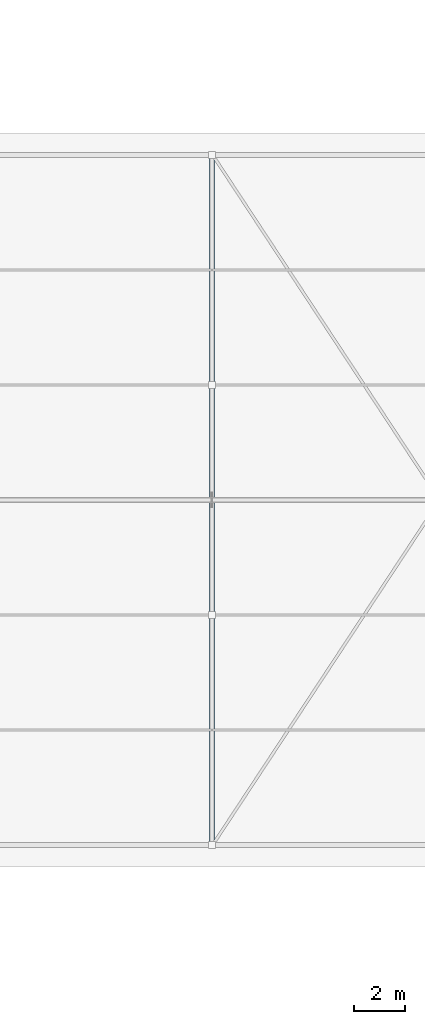
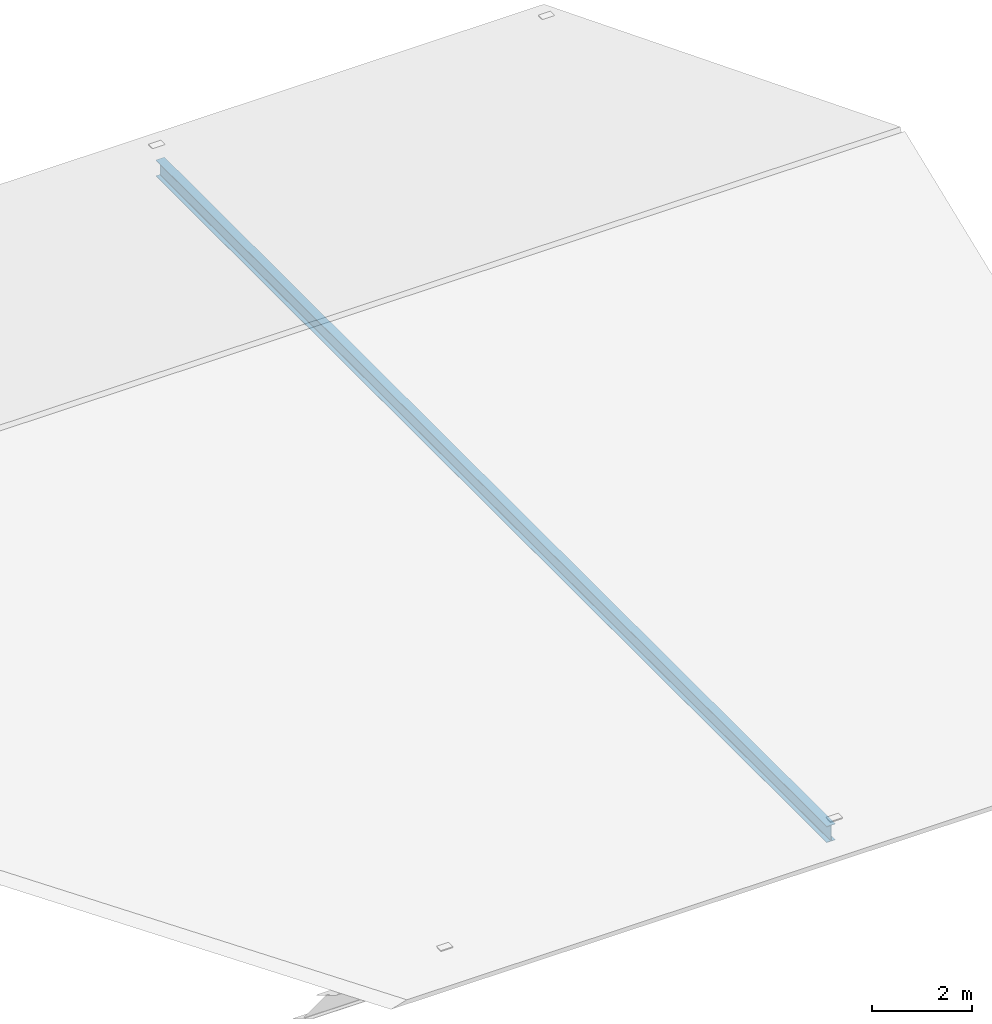
# One storey, part 75 of 132: 1 beam.
"""IFC4 building model written with IfcOpenShell, lengths in metres."""

from ifc_helpers import new_model, si_unit, direction, frame, origin, origin_2d, place, context, subcontext, project, spatial, i_section, extrude, material, material_profile, profile_set, type_object, element, save


model = new_model("IFC4")

# Units and contexts
model_context = context("Model", 3, precision=1e-05, world=origin(), true_north=direction((0.0, 1.0)))
body_context = subcontext(model_context, "Body", "Model", "MODEL_VIEW")
ifc_project = project(units=[si_unit("LENGTHUNIT", "METRE"), si_unit("AREAUNIT", "SQUARE_METRE"), si_unit("VOLUMEUNIT", "CUBIC_METRE"), si_unit("PLANEANGLEUNIT", "RADIAN"), si_unit("MASSUNIT", "GRAM", prefix="KILO")], contexts=[model_context])

# Site, building, storey
site_placement = place(None, origin())
site = spatial("IfcSite", under=ifc_project, at=site_placement, CompositionType="ELEMENT")
building_placement = place(site_placement, origin())
building = spatial("IfcBuilding", under=site, at=building_placement, Name="Tharagai Park Tramway Depot", CompositionType="ELEMENT")
storey_placement = place(building_placement, frame((0.0, 0.0, 4.800048828125)))
storey = spatial("IfcBuildingStorey", under=building, at=storey_placement, Name="L01", CompositionType="ELEMENT", Elevation=4.800048828125)

# Beam
ifc_material = material(Name="Steel E350", Category="steel")
ifc_material_profile = material_profile(ifc_material, i_section(OverallWidth=0.199951171875, OverallDepth=0.39990234375, WebThickness=0.008544921875, FlangeThickness=0.012939453125, FilletRadius=0.013916015625, at=origin_2d()), Name="ISWB 400")
ifc_profile_set = profile_set([ifc_material_profile], Name="Steel E350")
beam_type = type_object("IfcBeamType", Name="BM-05", PredefinedType="BEAM", material=ifc_profile_set)
beam_placement = place(storey_placement, frame((207.0, 54.080078125, -0.449951171875), z_axis=(0.0, 1.0, 0.0), x_axis=(-1.0, 0.0, 0.0)))
element("IfcBeam", 1, at=beam_placement, inside=storey, type_object=beam_type, Name="V6 Gable Tie Girder BM-05", PredefinedType="BEAM", context=body_context, shape_type="SweptSolid", body=[
    extrude(i_section(OverallWidth=0.199951171875, OverallDepth=0.39990234375, WebThickness=0.008544921875, FlangeThickness=0.012939453125, FilletRadius=0.013916015625, at=origin_2d()), origin(), (0.0, 0.0, 1.0), 26.83984375),
])

save(model, "model.ifc")
